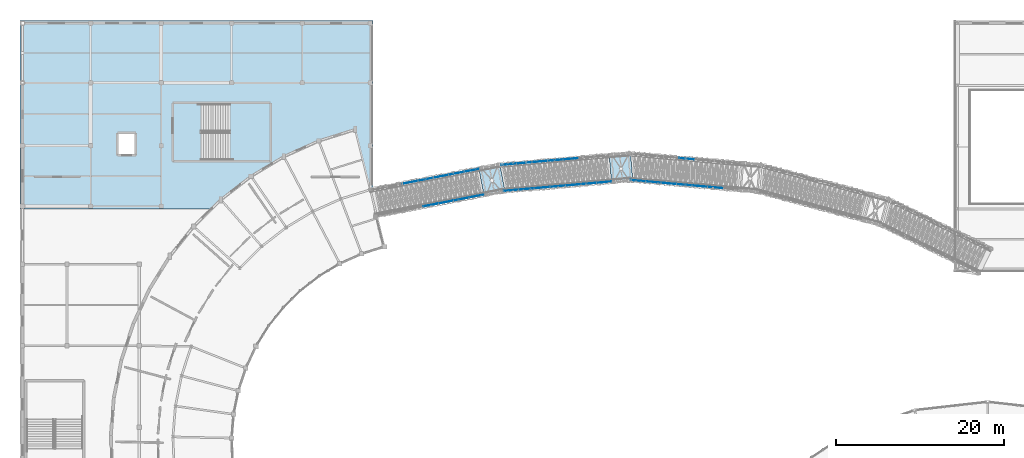
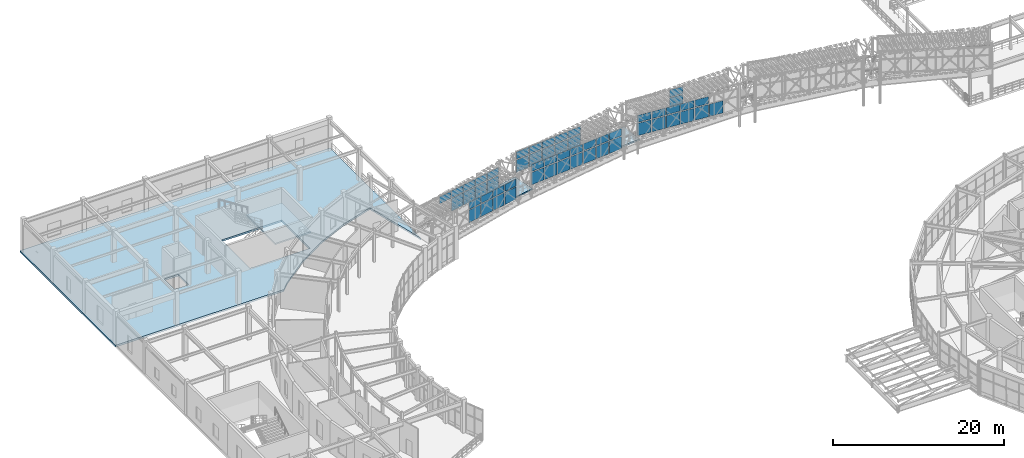
# One storey, part 87 of 144: 54 plates, 4 slabs, 8 elements without a shape of their own.
"""IFC4 building model written with IfcOpenShell, lengths in metres."""

from ifc_helpers import new_model, si_unit, direction, frame, origin, origin_2d, place, context, subcontext, project, spatial, polyline, rectangle, outline, extrude, material, layer, layer_set, type_object, element, aggregate, save


model = new_model("IFC4")

# Units and contexts
model_context = context("Model", 3, precision=1e-05, world=origin(), true_north=direction((0.0, 1.0)))
body_context = subcontext(model_context, "Body", "Model", "MODEL_VIEW")
ifc_project = project(units=[si_unit("LENGTHUNIT", "METRE"), si_unit("AREAUNIT", "SQUARE_METRE"), si_unit("VOLUMEUNIT", "CUBIC_METRE"), si_unit("PLANEANGLEUNIT", "RADIAN"), si_unit("MASSUNIT", "GRAM", prefix="KILO")], contexts=[model_context])

# Site, building, storey
site_placement = place(None, origin())
site = spatial("IfcSite", under=ifc_project, at=site_placement, CompositionType="ELEMENT")
building_placement = place(site_placement, origin())
building = spatial("IfcBuilding", under=site, at=building_placement, Name="Cinderbank Siding Concert Hall", CompositionType="ELEMENT")
storey_placement = place(building_placement, frame((0.0, 0.0, 5.39990234375)))
storey = spatial("IfcBuildingStorey", under=building, at=storey_placement, Name="L02", CompositionType="ELEMENT", Elevation=5.39990234375)

# Curtain wall, plates
ifc_material_1 = material(Name="Anodised aluminium alloy 6063-T6", Category="aluminium")
curtain_wall_type = type_object("IfcCurtainWallType", Name="CW-15 Unitised Acoustic Curtain Wall 12800x3200", PredefinedType="NOTDEFINED", material=ifc_material_1)
curtain_wall_1_placement = place(storey_placement, origin())
curtain_wall_1 = element("IfcCurtainWall", 1, at=curtain_wall_1_placement, inside=storey, type_object=curtain_wall_type, Name="L02 Curtain Wall CW-15 #153", PredefinedType="NOTDEFINED")
ifc_material_2 = material(Name="Double-glazed laminated acoustic glass", Category="glass")
ifc_layer_1 = layer(ifc_material_2, 0.035888671875)
ifc_layer_set_1 = layer_set([ifc_layer_1], Name="Double-glazed laminated acoustic glass")
plate_type_1 = type_object("IfcPlateType", Name="CP-02 Glazed Curtain Panel 1800x1900", PredefinedType="CURTAIN_PANEL", material=ifc_layer_set_1)
plate_1_placement = place(storey_placement, frame((53.25634765625, 98.955322265625, 2.4931640625), z_axis=(0.0, 0.0, 1.0), x_axis=(0.981626888786, 0.190810511271, 0.0)))
plate_1 = element("IfcPlate", 2, at=plate_1_placement, type_object=plate_type_1, Name="CW-L02-153 Glazed Panel 2-1", PredefinedType="CURTAIN_PANEL", context=body_context, shape_type="SweptSolid", body=[
    extrude(rectangle(XDim=1.760009765625, YDim=0.035888671875, at=origin_2d()), origin(), (0.0, 0.0, 1.0), 1.01708984375),
])
plate_2_placement = place(storey_placement, frame((55.082275390625, 99.310302734375, 0.60009765625), z_axis=(0.0, 0.0, 1.0), x_axis=(0.981626888786, 0.190810511271, 0.0)))
plate_2 = element("IfcPlate", 3, at=plate_2_placement, type_object=plate_type_1, Name="CW-L02-153 Glazed Panel 3-0", PredefinedType="CURTAIN_PANEL", context=body_context, shape_type="SweptSolid", body=[
    extrude(rectangle(XDim=1.760009765625, YDim=0.035888671875, at=origin_2d()), origin(), (0.0, 0.0, 1.0), 1.77294921875),
])
plate_3_placement = place(storey_placement, frame((55.082275390625, 99.310302734375, 2.4931640625), z_axis=(0.0, 0.0, 1.0), x_axis=(0.981626888786, 0.190810511271, 0.0)))
plate_3 = element("IfcPlate", 4, at=plate_3_placement, type_object=plate_type_1, Name="CW-L02-153 Glazed Panel 3-1", PredefinedType="CURTAIN_PANEL", context=body_context, shape_type="SweptSolid", body=[
    extrude(rectangle(XDim=1.760009765625, YDim=0.035888671875, at=origin_2d()), origin(), (0.0, 0.0, 1.0), 1.01708984375),
])
plate_4_placement = place(storey_placement, frame((56.908203125, 99.665283203125, 0.60009765625), z_axis=(0.0, 0.0, 1.0), x_axis=(0.981626888786, 0.190810511271, 0.0)))
plate_4 = element("IfcPlate", 5, at=plate_4_placement, type_object=plate_type_1, Name="CW-L02-153 Glazed Panel 4-0", PredefinedType="CURTAIN_PANEL", context=body_context, shape_type="SweptSolid", body=[
    extrude(rectangle(XDim=1.760009765625, YDim=0.035888671875, at=origin_2d()), origin(), (0.0, 0.0, 1.0), 1.77294921875),
])
plate_5_placement = place(storey_placement, frame((56.908203125, 99.665283203125, 2.4931640625), z_axis=(0.0, 0.0, 1.0), x_axis=(0.981626888786, 0.190810511271, 0.0)))
plate_5 = element("IfcPlate", 6, at=plate_5_placement, type_object=plate_type_1, Name="CW-L02-153 Glazed Panel 4-1", PredefinedType="CURTAIN_PANEL", context=body_context, shape_type="SweptSolid", body=[
    extrude(rectangle(XDim=1.760009765625, YDim=0.035888671875, at=origin_2d()), origin(), (0.0, 0.0, 1.0), 1.01708984375),
])
plate_6_placement = place(storey_placement, frame((58.73388671875, 100.020263671875, 0.60009765625), z_axis=(0.0, 0.0, 1.0), x_axis=(0.981626888786, 0.190810511271, 0.0)))
plate_6 = element("IfcPlate", 7, at=plate_6_placement, type_object=plate_type_1, Name="CW-L02-153 Glazed Panel 5-0", PredefinedType="CURTAIN_PANEL", context=body_context, shape_type="SweptSolid", body=[
    extrude(rectangle(XDim=1.760009765625, YDim=0.035888671875, at=origin_2d()), origin(), (0.0, 0.0, 1.0), 1.77294921875),
])
plate_7_placement = place(storey_placement, frame((58.73388671875, 100.020263671875, 2.4931640625), z_axis=(0.0, 0.0, 1.0), x_axis=(0.981626888786, 0.190810511271, 0.0)))
plate_7 = element("IfcPlate", 8, at=plate_7_placement, type_object=plate_type_1, Name="CW-L02-153 Glazed Panel 5-1", PredefinedType="CURTAIN_PANEL", context=body_context, shape_type="SweptSolid", body=[
    extrude(rectangle(XDim=1.760009765625, YDim=0.035888671875, at=origin_2d()), origin(), (0.0, 0.0, 1.0), 1.01708984375),
])
plate_8_placement = place(storey_placement, frame((60.559814453125, 100.375, 0.60009765625), z_axis=(0.0, 0.0, 1.0), x_axis=(0.981626888786, 0.190810511271, 0.0)))
plate_8 = element("IfcPlate", 9, at=plate_8_placement, type_object=plate_type_1, Name="CW-L02-153 Glazed Panel 6-0", PredefinedType="CURTAIN_PANEL", context=body_context, shape_type="SweptSolid", body=[
    extrude(rectangle(XDim=1.760009765625, YDim=0.035888671875, at=origin_2d()), origin(), (0.0, 0.0, 1.0), 1.77294921875),
])
plate_9_placement = place(storey_placement, frame((60.559814453125, 100.375, 2.4931640625), z_axis=(0.0, 0.0, 1.0), x_axis=(0.981626888786, 0.190810511271, 0.0)))
plate_9 = element("IfcPlate", 10, at=plate_9_placement, type_object=plate_type_1, Name="CW-L02-153 Glazed Panel 6-1", PredefinedType="CURTAIN_PANEL", context=body_context, shape_type="SweptSolid", body=[
    extrude(rectangle(XDim=1.760009765625, YDim=0.035888671875, at=origin_2d()), origin(), (0.0, 0.0, 1.0), 1.01708984375),
])
aggregate(curtain_wall_1, [plate_1, plate_2, plate_3, plate_4, plate_5, plate_6, plate_7, plate_8, plate_9])

curtain_wall_2_placement = place(storey_placement, origin())
curtain_wall_2 = element("IfcCurtainWall", 11, at=curtain_wall_2_placement, inside=storey, type_object=curtain_wall_type, Name="L02 Curtain Wall CW-15 #154", PredefinedType="NOTDEFINED")
ifc_layer_2 = layer(ifc_material_2, 0.035888671875)
ifc_layer_set_2 = layer_set([ifc_layer_2], Name="Double-glazed laminated acoustic glass")
plate_type_2 = type_object("IfcPlateType", Name="CP-03 Glazed Curtain Panel 1600x2100", PredefinedType="CURTAIN_PANEL", material=ifc_layer_set_2)
plate_10_placement = place(storey_placement, frame((55.694091796875, 96.2509765625, 0.60009765625), z_axis=(0.0, 0.0, 1.0), x_axis=(0.981626888786, 0.190810511271, 0.0)))
plate_10 = element("IfcPlate", 12, at=plate_10_placement, type_object=plate_type_2, Name="CW-L02-154 Glazed Panel 3-0", PredefinedType="CURTAIN_PANEL", context=body_context, shape_type="SweptSolid", body=[
    extrude(rectangle(XDim=1.755126953125, YDim=0.035888671875, at=origin_2d()), origin(), (0.0, 0.0, 1.0), 1.77294921875),
])
plate_11_placement = place(storey_placement, frame((55.694091796875, 96.2509765625, 2.4931640625), z_axis=(0.0, 0.0, 1.0), x_axis=(0.981626888786, 0.190810511271, 0.0)))
plate_11 = element("IfcPlate", 13, at=plate_11_placement, type_object=plate_type_2, Name="CW-L02-154 Glazed Panel 3-1", PredefinedType="CURTAIN_PANEL", context=body_context, shape_type="SweptSolid", body=[
    extrude(rectangle(XDim=1.755126953125, YDim=0.035888671875, at=origin_2d()), origin(), (0.0, 0.0, 1.0), 1.01708984375),
])
plate_12_placement = place(storey_placement, frame((57.515380859375, 96.60498046875, 0.60009765625), z_axis=(0.0, 0.0, 1.0), x_axis=(0.981626888786, 0.190810511271, 0.0)))
plate_12 = element("IfcPlate", 14, at=plate_12_placement, type_object=plate_type_2, Name="CW-L02-154 Glazed Panel 4-0", PredefinedType="CURTAIN_PANEL", context=body_context, shape_type="SweptSolid", body=[
    extrude(rectangle(XDim=1.755126953125, YDim=0.035888671875, at=origin_2d()), origin(), (0.0, 0.0, 1.0), 1.77294921875),
])
plate_13_placement = place(storey_placement, frame((57.515380859375, 96.60498046875, 2.4931640625), z_axis=(0.0, 0.0, 1.0), x_axis=(0.981626888786, 0.190810511271, 0.0)))
plate_13 = element("IfcPlate", 15, at=plate_13_placement, type_object=plate_type_2, Name="CW-L02-154 Glazed Panel 4-1", PredefinedType="CURTAIN_PANEL", context=body_context, shape_type="SweptSolid", body=[
    extrude(rectangle(XDim=1.755126953125, YDim=0.035888671875, at=origin_2d()), origin(), (0.0, 0.0, 1.0), 1.01708984375),
])
plate_14_placement = place(storey_placement, frame((59.33642578125, 96.958984375, 0.60009765625), z_axis=(0.0, 0.0, 1.0), x_axis=(0.981626888786, 0.190810511271, 0.0)))
plate_14 = element("IfcPlate", 16, at=plate_14_placement, type_object=plate_type_2, Name="CW-L02-154 Glazed Panel 5-0", PredefinedType="CURTAIN_PANEL", context=body_context, shape_type="SweptSolid", body=[
    extrude(rectangle(XDim=1.755126953125, YDim=0.035888671875, at=origin_2d()), origin(), (0.0, 0.0, 1.0), 1.77294921875),
])
plate_15_placement = place(storey_placement, frame((59.33642578125, 96.958984375, 2.4931640625), z_axis=(0.0, 0.0, 1.0), x_axis=(0.981626888786, 0.190810511271, 0.0)))
plate_15 = element("IfcPlate", 17, at=plate_15_placement, type_object=plate_type_2, Name="CW-L02-154 Glazed Panel 5-1", PredefinedType="CURTAIN_PANEL", context=body_context, shape_type="SweptSolid", body=[
    extrude(rectangle(XDim=1.755126953125, YDim=0.035888671875, at=origin_2d()), origin(), (0.0, 0.0, 1.0), 1.01708984375),
])
plate_16_placement = place(storey_placement, frame((61.157470703125, 97.31298828125, 0.60009765625), z_axis=(0.0, 0.0, 1.0), x_axis=(0.981626888786, 0.190810511271, 0.0)))
plate_16 = element("IfcPlate", 18, at=plate_16_placement, type_object=plate_type_2, Name="CW-L02-154 Glazed Panel 6-0", PredefinedType="CURTAIN_PANEL", context=body_context, shape_type="SweptSolid", body=[
    extrude(rectangle(XDim=1.755126953125, YDim=0.035888671875, at=origin_2d()), origin(), (0.0, 0.0, 1.0), 1.77294921875),
])
plate_17_placement = place(storey_placement, frame((61.157470703125, 97.31298828125, 2.4931640625), z_axis=(0.0, 0.0, 1.0), x_axis=(0.981626888786, 0.190810511271, 0.0)))
plate_17 = element("IfcPlate", 19, at=plate_17_placement, type_object=plate_type_2, Name="CW-L02-154 Glazed Panel 6-1", PredefinedType="CURTAIN_PANEL", context=body_context, shape_type="SweptSolid", body=[
    extrude(rectangle(XDim=1.755126953125, YDim=0.035888671875, at=origin_2d()), origin(), (0.0, 0.0, 1.0), 1.01708984375),
])
aggregate(curtain_wall_2, [plate_10, plate_11, plate_12, plate_13, plate_14, plate_15, plate_16, plate_17])

curtain_wall_3_placement = place(storey_placement, origin())
curtain_wall_3 = element("IfcCurtainWall", 20, at=curtain_wall_3_placement, inside=storey, type_object=curtain_wall_type, Name="L02 Curtain Wall CW-15 #155", PredefinedType="NOTDEFINED")
ifc_layer_3 = layer(ifc_material_2, 0.031982421875)
ifc_layer_set_3 = layer_set([ifc_layer_3], Name="Double-glazed laminated acoustic glass")
plate_type_3 = type_object("IfcPlateType", Name="CP-04 Glazed Curtain Panel 1400x2000", PredefinedType="CURTAIN_PANEL", material=ifc_layer_set_3)
plate_18_placement = place(storey_placement, frame((64.970703125, 101.100830078125, 1.56005859375), z_axis=(0.0, 0.0, 1.0), x_axis=(0.996194549296, 0.08715744348, 0.0)))
plate_18 = element("IfcPlate", 21, at=plate_18_placement, type_object=plate_type_3, Name="CW-L02-155 Glazed Panel 0-0", PredefinedType="CURTAIN_PANEL", context=body_context, shape_type="SweptSolid", body=[
    extrude(rectangle(XDim=1.755126953125, YDim=0.035888671875, at=origin_2d()), origin(), (0.0, 0.0, 1.0), 1.77294921875),
])
plate_19_placement = place(storey_placement, frame((64.970703125, 101.100830078125, 3.453125), z_axis=(0.0, 0.0, 1.0), x_axis=(0.996194549296, 0.08715744348, 0.0)))
plate_19 = element("IfcPlate", 22, at=plate_19_placement, type_object=plate_type_3, Name="CW-L02-155 Glazed Panel 0-1", PredefinedType="CURTAIN_PANEL", context=body_context, shape_type="SweptSolid", body=[
    extrude(rectangle(XDim=1.755126953125, YDim=0.035888671875, at=origin_2d()), origin(), (0.0, 0.0, 1.0), 1.01708984375),
])
plate_20_placement = place(storey_placement, frame((66.818603515625, 101.262451171875, 1.56005859375), z_axis=(0.0, 0.0, 1.0), x_axis=(0.996194549296, 0.08715744348, 0.0)))
plate_20 = element("IfcPlate", 23, at=plate_20_placement, type_object=plate_type_3, Name="CW-L02-155 Glazed Panel 1-0", PredefinedType="CURTAIN_PANEL", context=body_context, shape_type="SweptSolid", body=[
    extrude(rectangle(XDim=1.755126953125, YDim=0.035888671875, at=origin_2d()), origin(), (0.0, 0.0, 1.0), 1.77294921875),
])
plate_21_placement = place(storey_placement, frame((66.818603515625, 101.262451171875, 3.453125), z_axis=(0.0, 0.0, 1.0), x_axis=(0.996194549296, 0.08715744348, 0.0)))
plate_21 = element("IfcPlate", 24, at=plate_21_placement, type_object=plate_type_3, Name="CW-L02-155 Glazed Panel 1-1", PredefinedType="CURTAIN_PANEL", context=body_context, shape_type="SweptSolid", body=[
    extrude(rectangle(XDim=1.755126953125, YDim=0.035888671875, at=origin_2d()), origin(), (0.0, 0.0, 1.0), 1.01708984375),
])
plate_22_placement = place(storey_placement, frame((68.666748046875, 101.42431640625, 1.56005859375), z_axis=(0.0, 0.0, 1.0), x_axis=(0.996194549296, 0.08715744348, 0.0)))
plate_22 = element("IfcPlate", 25, at=plate_22_placement, type_object=plate_type_3, Name="CW-L02-155 Glazed Panel 2-0", PredefinedType="CURTAIN_PANEL", context=body_context, shape_type="SweptSolid", body=[
    extrude(rectangle(XDim=1.755126953125, YDim=0.035888671875, at=origin_2d()), origin(), (0.0, 0.0, 1.0), 1.77294921875),
])
plate_23_placement = place(storey_placement, frame((68.666748046875, 101.42431640625, 3.453125), z_axis=(0.0, 0.0, 1.0), x_axis=(0.996194549296, 0.08715744348, 0.0)))
plate_23 = element("IfcPlate", 26, at=plate_23_placement, type_object=plate_type_3, Name="CW-L02-155 Glazed Panel 2-1", PredefinedType="CURTAIN_PANEL", context=body_context, shape_type="SweptSolid", body=[
    extrude(rectangle(XDim=1.755126953125, YDim=0.035888671875, at=origin_2d()), origin(), (0.0, 0.0, 1.0), 1.01708984375),
])
plate_24_placement = place(storey_placement, frame((70.514892578125, 101.5859375, 1.56005859375), z_axis=(0.0, 0.0, 1.0), x_axis=(0.996194549296, 0.08715744348, 0.0)))
plate_24 = element("IfcPlate", 27, at=plate_24_placement, type_object=plate_type_3, Name="CW-L02-155 Glazed Panel 3-0", PredefinedType="CURTAIN_PANEL", context=body_context, shape_type="SweptSolid", body=[
    extrude(rectangle(XDim=1.755126953125, YDim=0.035888671875, at=origin_2d()), origin(), (0.0, 0.0, 1.0), 1.77294921875),
])
plate_25_placement = place(storey_placement, frame((70.514892578125, 101.5859375, 3.453125), z_axis=(0.0, 0.0, 1.0), x_axis=(0.996194549296, 0.08715744348, 0.0)))
plate_25 = element("IfcPlate", 28, at=plate_25_placement, type_object=plate_type_3, Name="CW-L02-155 Glazed Panel 3-1", PredefinedType="CURTAIN_PANEL", context=body_context, shape_type="SweptSolid", body=[
    extrude(rectangle(XDim=1.755126953125, YDim=0.035888671875, at=origin_2d()), origin(), (0.0, 0.0, 1.0), 1.01708984375),
])
plate_26_placement = place(storey_placement, frame((72.363037109375, 101.74755859375, 1.56005859375), z_axis=(0.0, 0.0, 1.0), x_axis=(0.996194549296, 0.08715744348, 0.0)))
plate_26 = element("IfcPlate", 29, at=plate_26_placement, type_object=plate_type_3, Name="CW-L02-155 Glazed Panel 4-0", PredefinedType="CURTAIN_PANEL", context=body_context, shape_type="SweptSolid", body=[
    extrude(rectangle(XDim=1.755126953125, YDim=0.035888671875, at=origin_2d()), origin(), (0.0, 0.0, 1.0), 1.77294921875),
])
plate_27_placement = place(storey_placement, frame((72.363037109375, 101.74755859375, 3.453125), z_axis=(0.0, 0.0, 1.0), x_axis=(0.996194549296, 0.08715744348, 0.0)))
plate_27 = element("IfcPlate", 30, at=plate_27_placement, type_object=plate_type_3, Name="CW-L02-155 Glazed Panel 4-1", PredefinedType="CURTAIN_PANEL", context=body_context, shape_type="SweptSolid", body=[
    extrude(rectangle(XDim=1.755126953125, YDim=0.035888671875, at=origin_2d()), origin(), (0.0, 0.0, 1.0), 1.01708984375),
])
aggregate(curtain_wall_3, [plate_18, plate_19, plate_20, plate_21, plate_22, plate_23, plate_24, plate_25, plate_26, plate_27])

curtain_wall_4_placement = place(storey_placement, origin())
curtain_wall_4 = element("IfcCurtainWall", 31, at=curtain_wall_4_placement, inside=storey, type_object=curtain_wall_type, Name="L02 Curtain Wall CW-15 #156", PredefinedType="NOTDEFINED")
ifc_layer_4 = layer(ifc_material_2, 0.031982421875)
ifc_layer_set_4 = layer_set([ifc_layer_4], Name="Double-glazed laminated acoustic glass")
plate_type_4 = type_object("IfcPlateType", Name="CP-05 Glazed Curtain Panel 1200x1800", PredefinedType="CURTAIN_PANEL", material=ifc_layer_set_4)
plate_28_placement = place(storey_placement, frame((65.242431640625, 97.99267578125, 1.56005859375), z_axis=(0.0, 0.0, 1.0), x_axis=(0.996194549296, 0.08715744348, 0.0)))
plate_28 = element("IfcPlate", 32, at=plate_28_placement, type_object=plate_type_4, Name="CW-L02-156 Glazed Panel 0-0", PredefinedType="CURTAIN_PANEL", context=body_context, shape_type="SweptSolid", body=[
    extrude(rectangle(XDim=1.755126953125, YDim=0.035888671875, at=origin_2d()), origin(), (0.0, 0.0, 1.0), 1.77294921875),
])
plate_29_placement = place(storey_placement, frame((65.242431640625, 97.99267578125, 3.453125), z_axis=(0.0, 0.0, 1.0), x_axis=(0.996194549296, 0.08715744348, 0.0)))
plate_29 = element("IfcPlate", 33, at=plate_29_placement, type_object=plate_type_4, Name="CW-L02-156 Glazed Panel 0-1", PredefinedType="CURTAIN_PANEL", context=body_context, shape_type="SweptSolid", body=[
    extrude(rectangle(XDim=1.755126953125, YDim=0.035888671875, at=origin_2d()), origin(), (0.0, 0.0, 1.0), 1.01708984375),
])
plate_30_placement = place(storey_placement, frame((67.090576171875, 98.154296875, 1.56005859375), z_axis=(0.0, 0.0, 1.0), x_axis=(0.996194549296, 0.08715744348, 0.0)))
plate_30 = element("IfcPlate", 34, at=plate_30_placement, type_object=plate_type_4, Name="CW-L02-156 Glazed Panel 1-0", PredefinedType="CURTAIN_PANEL", context=body_context, shape_type="SweptSolid", body=[
    extrude(rectangle(XDim=1.755126953125, YDim=0.035888671875, at=origin_2d()), origin(), (0.0, 0.0, 1.0), 1.77294921875),
])
plate_31_placement = place(storey_placement, frame((67.090576171875, 98.154296875, 3.453125), z_axis=(0.0, 0.0, 1.0), x_axis=(0.996194549296, 0.08715744348, 0.0)))
plate_31 = element("IfcPlate", 35, at=plate_31_placement, type_object=plate_type_4, Name="CW-L02-156 Glazed Panel 1-1", PredefinedType="CURTAIN_PANEL", context=body_context, shape_type="SweptSolid", body=[
    extrude(rectangle(XDim=1.755126953125, YDim=0.035888671875, at=origin_2d()), origin(), (0.0, 0.0, 1.0), 1.01708984375),
])
plate_32_placement = place(storey_placement, frame((68.938720703125, 98.31591796875, 1.56005859375), z_axis=(0.0, 0.0, 1.0), x_axis=(0.996194549296, 0.08715744348, 0.0)))
plate_32 = element("IfcPlate", 36, at=plate_32_placement, type_object=plate_type_4, Name="CW-L02-156 Glazed Panel 2-0", PredefinedType="CURTAIN_PANEL", context=body_context, shape_type="SweptSolid", body=[
    extrude(rectangle(XDim=1.755126953125, YDim=0.035888671875, at=origin_2d()), origin(), (0.0, 0.0, 1.0), 1.77294921875),
])
plate_33_placement = place(storey_placement, frame((68.938720703125, 98.31591796875, 3.453125), z_axis=(0.0, 0.0, 1.0), x_axis=(0.996194549296, 0.08715744348, 0.0)))
plate_33 = element("IfcPlate", 37, at=plate_33_placement, type_object=plate_type_4, Name="CW-L02-156 Glazed Panel 2-1", PredefinedType="CURTAIN_PANEL", context=body_context, shape_type="SweptSolid", body=[
    extrude(rectangle(XDim=1.755126953125, YDim=0.035888671875, at=origin_2d()), origin(), (0.0, 0.0, 1.0), 1.01708984375),
])
plate_34_placement = place(storey_placement, frame((70.786865234375, 98.477783203125, 1.56005859375), z_axis=(0.0, 0.0, 1.0), x_axis=(0.996194549296, 0.08715744348, 0.0)))
plate_34 = element("IfcPlate", 38, at=plate_34_placement, type_object=plate_type_4, Name="CW-L02-156 Glazed Panel 3-0", PredefinedType="CURTAIN_PANEL", context=body_context, shape_type="SweptSolid", body=[
    extrude(rectangle(XDim=1.755126953125, YDim=0.035888671875, at=origin_2d()), origin(), (0.0, 0.0, 1.0), 1.77294921875),
])
plate_35_placement = place(storey_placement, frame((70.786865234375, 98.477783203125, 3.453125), z_axis=(0.0, 0.0, 1.0), x_axis=(0.996194549296, 0.08715744348, 0.0)))
plate_35 = element("IfcPlate", 39, at=plate_35_placement, type_object=plate_type_4, Name="CW-L02-156 Glazed Panel 3-1", PredefinedType="CURTAIN_PANEL", context=body_context, shape_type="SweptSolid", body=[
    extrude(rectangle(XDim=1.755126953125, YDim=0.035888671875, at=origin_2d()), origin(), (0.0, 0.0, 1.0), 1.01708984375),
])
plate_36_placement = place(storey_placement, frame((72.635009765625, 98.639404296875, 1.56005859375), z_axis=(0.0, 0.0, 1.0), x_axis=(0.996194549296, 0.08715744348, 0.0)))
plate_36 = element("IfcPlate", 40, at=plate_36_placement, type_object=plate_type_4, Name="CW-L02-156 Glazed Panel 4-0", PredefinedType="CURTAIN_PANEL", context=body_context, shape_type="SweptSolid", body=[
    extrude(rectangle(XDim=1.755126953125, YDim=0.035888671875, at=origin_2d()), origin(), (0.0, 0.0, 1.0), 1.77294921875),
])
plate_37_placement = place(storey_placement, frame((72.635009765625, 98.639404296875, 3.453125), z_axis=(0.0, 0.0, 1.0), x_axis=(0.996194549296, 0.08715744348, 0.0)))
plate_37 = element("IfcPlate", 41, at=plate_37_placement, type_object=plate_type_4, Name="CW-L02-156 Glazed Panel 4-1", PredefinedType="CURTAIN_PANEL", context=body_context, shape_type="SweptSolid", body=[
    extrude(rectangle(XDim=1.755126953125, YDim=0.035888671875, at=origin_2d()), origin(), (0.0, 0.0, 1.0), 1.01708984375),
])
plate_38_placement = place(storey_placement, frame((74.48291015625, 98.801025390625, 1.56005859375), z_axis=(0.0, 0.0, 1.0), x_axis=(0.996194549296, 0.08715744348, 0.0)))
plate_38 = element("IfcPlate", 42, at=plate_38_placement, type_object=plate_type_4, Name="CW-L02-156 Glazed Panel 5-0", PredefinedType="CURTAIN_PANEL", context=body_context, shape_type="SweptSolid", body=[
    extrude(rectangle(XDim=1.755126953125, YDim=0.035888671875, at=origin_2d()), origin(), (0.0, 0.0, 1.0), 1.77294921875),
])
plate_39_placement = place(storey_placement, frame((74.48291015625, 98.801025390625, 3.453125), z_axis=(0.0, 0.0, 1.0), x_axis=(0.996194549296, 0.08715744348, 0.0)))
plate_39 = element("IfcPlate", 43, at=plate_39_placement, type_object=plate_type_4, Name="CW-L02-156 Glazed Panel 5-1", PredefinedType="CURTAIN_PANEL", context=body_context, shape_type="SweptSolid", body=[
    extrude(rectangle(XDim=1.755126953125, YDim=0.035888671875, at=origin_2d()), origin(), (0.0, 0.0, 1.0), 1.01708984375),
])
plate_40_placement = place(storey_placement, frame((76.3310546875, 98.962890625, 1.56005859375), z_axis=(0.0, 0.0, 1.0), x_axis=(0.996194549296, 0.08715744348, 0.0)))
plate_40 = element("IfcPlate", 44, at=plate_40_placement, type_object=plate_type_4, Name="CW-L02-156 Glazed Panel 6-0", PredefinedType="CURTAIN_PANEL", context=body_context, shape_type="SweptSolid", body=[
    extrude(rectangle(XDim=1.755126953125, YDim=0.035888671875, at=origin_2d()), origin(), (0.0, 0.0, 1.0), 1.77294921875),
])
plate_41_placement = place(storey_placement, frame((76.3310546875, 98.962890625, 3.453125), z_axis=(0.0, 0.0, 1.0), x_axis=(0.996194549296, 0.08715744348, 0.0)))
plate_41 = element("IfcPlate", 45, at=plate_41_placement, type_object=plate_type_4, Name="CW-L02-156 Glazed Panel 6-1", PredefinedType="CURTAIN_PANEL", context=body_context, shape_type="SweptSolid", body=[
    extrude(rectangle(XDim=1.755126953125, YDim=0.035888671875, at=origin_2d()), origin(), (0.0, 0.0, 1.0), 1.01708984375),
])
aggregate(curtain_wall_4, [plate_28, plate_29, plate_30, plate_31, plate_32, plate_33, plate_34, plate_35, plate_36, plate_37, plate_38, plate_39, plate_40, plate_41])

curtain_wall_5_placement = place(storey_placement, origin())
curtain_wall_5 = element("IfcCurtainWall", 46, at=curtain_wall_5_placement, inside=storey, type_object=curtain_wall_type, Name="L02 Curtain Wall CW-15 #157", PredefinedType="NOTDEFINED")
ifc_layer_5 = layer(ifc_material_2, 0.0380859375)
ifc_layer_set_5 = layer_set([ifc_layer_5], Name="Double-glazed laminated acoustic glass")
plate_type_5 = type_object("IfcPlateType", Name="CP-06 Glazed Curtain Panel 2100x1600", PredefinedType="CURTAIN_PANEL", material=ifc_layer_set_5)
plate_42_placement = place(storey_placement, frame((86.168212890625, 101.76025390625, 2.52001953125), z_axis=(0.0, 0.0, 1.0), x_axis=(0.996194549296, -0.08715744348, 0.0)))
plate_42 = element("IfcPlate", 47, at=plate_42_placement, type_object=plate_type_5, Name="CW-L02-157 Glazed Panel 3-0", PredefinedType="CURTAIN_PANEL", context=body_context, shape_type="SweptSolid", body=[
    extrude(rectangle(XDim=1.755126953125, YDim=0.035888671875, at=origin_2d()), origin(), (0.0, 0.0, 1.0), 1.77294921875),
])
plate_43_placement = place(storey_placement, frame((86.168212890625, 101.76025390625, 4.4130859375), z_axis=(0.0, 0.0, 1.0), x_axis=(0.996194549296, -0.08715744348, 0.0)))
plate_43 = element("IfcPlate", 48, at=plate_43_placement, type_object=plate_type_5, Name="CW-L02-157 Glazed Panel 3-1", PredefinedType="CURTAIN_PANEL", context=body_context, shape_type="SweptSolid", body=[
    extrude(rectangle(XDim=1.755126953125, YDim=0.035888671875, at=origin_2d()), origin(), (0.0, 0.0, 1.0), 1.01708984375),
])
aggregate(curtain_wall_5, [plate_42, plate_43])

curtain_wall_6_placement = place(storey_placement, origin())
curtain_wall_6 = element("IfcCurtainWall", 49, at=curtain_wall_6_placement, inside=storey, type_object=curtain_wall_type, Name="L02 Curtain Wall CW-15 #158", PredefinedType="NOTDEFINED")
ifc_layer_6 = layer(ifc_material_2, 0.033935546875)
ifc_layer_set_6 = layer_set([ifc_layer_6], Name="Double-glazed laminated acoustic glass")
plate_type_6 = type_object("IfcPlateType", Name="CP-07 Glazed Curtain Panel 1500x1750", PredefinedType="CURTAIN_PANEL", material=ifc_layer_set_6)
plate_44_placement = place(storey_placement, frame((80.351806640625, 99.13720703125, 2.52001953125), z_axis=(0.0, 0.0, 1.0), x_axis=(0.996194549296, -0.08715744348, 0.0)))
plate_44 = element("IfcPlate", 50, at=plate_44_placement, type_object=plate_type_6, Name="CW-L02-158 Glazed Panel 0-0", PredefinedType="CURTAIN_PANEL", context=body_context, shape_type="SweptSolid", body=[
    extrude(rectangle(XDim=1.755126953125, YDim=0.035888671875, at=origin_2d()), origin(), (0.0, 0.0, 1.0), 1.77294921875),
])
plate_45_placement = place(storey_placement, frame((80.351806640625, 99.13720703125, 4.4130859375), z_axis=(0.0, 0.0, 1.0), x_axis=(0.996194549296, -0.08715744348, 0.0)))
plate_45 = element("IfcPlate", 51, at=plate_45_placement, type_object=plate_type_6, Name="CW-L02-158 Glazed Panel 0-1", PredefinedType="CURTAIN_PANEL", context=body_context, shape_type="SweptSolid", body=[
    extrude(rectangle(XDim=1.755126953125, YDim=0.035888671875, at=origin_2d()), origin(), (0.0, 0.0, 1.0), 1.01708984375),
])
plate_46_placement = place(storey_placement, frame((82.199951171875, 98.975341796875, 2.52001953125), z_axis=(0.0, 0.0, 1.0), x_axis=(0.996194549296, -0.08715744348, 0.0)))
plate_46 = element("IfcPlate", 52, at=plate_46_placement, type_object=plate_type_6, Name="CW-L02-158 Glazed Panel 1-0", PredefinedType="CURTAIN_PANEL", context=body_context, shape_type="SweptSolid", body=[
    extrude(rectangle(XDim=1.755126953125, YDim=0.035888671875, at=origin_2d()), origin(), (0.0, 0.0, 1.0), 1.77294921875),
])
plate_47_placement = place(storey_placement, frame((82.199951171875, 98.975341796875, 4.4130859375), z_axis=(0.0, 0.0, 1.0), x_axis=(0.996194549296, -0.08715744348, 0.0)))
plate_47 = element("IfcPlate", 53, at=plate_47_placement, type_object=plate_type_6, Name="CW-L02-158 Glazed Panel 1-1", PredefinedType="CURTAIN_PANEL", context=body_context, shape_type="SweptSolid", body=[
    extrude(rectangle(XDim=1.755126953125, YDim=0.035888671875, at=origin_2d()), origin(), (0.0, 0.0, 1.0), 1.01708984375),
])
plate_48_placement = place(storey_placement, frame((84.048095703125, 98.813720703125, 2.52001953125), z_axis=(0.0, 0.0, 1.0), x_axis=(0.996194549296, -0.08715744348, 0.0)))
plate_48 = element("IfcPlate", 54, at=plate_48_placement, type_object=plate_type_6, Name="CW-L02-158 Glazed Panel 2-0", PredefinedType="CURTAIN_PANEL", context=body_context, shape_type="SweptSolid", body=[
    extrude(rectangle(XDim=1.755126953125, YDim=0.035888671875, at=origin_2d()), origin(), (0.0, 0.0, 1.0), 1.77294921875),
])
plate_49_placement = place(storey_placement, frame((84.048095703125, 98.813720703125, 4.4130859375), z_axis=(0.0, 0.0, 1.0), x_axis=(0.996194549296, -0.08715744348, 0.0)))
plate_49 = element("IfcPlate", 55, at=plate_49_placement, type_object=plate_type_6, Name="CW-L02-158 Glazed Panel 2-1", PredefinedType="CURTAIN_PANEL", context=body_context, shape_type="SweptSolid", body=[
    extrude(rectangle(XDim=1.755126953125, YDim=0.035888671875, at=origin_2d()), origin(), (0.0, 0.0, 1.0), 1.01708984375),
])
plate_50_placement = place(storey_placement, frame((85.896240234375, 98.652099609375, 2.52001953125), z_axis=(0.0, 0.0, 1.0), x_axis=(0.996194549296, -0.08715744348, 0.0)))
plate_50 = element("IfcPlate", 56, at=plate_50_placement, type_object=plate_type_6, Name="CW-L02-158 Glazed Panel 3-0", PredefinedType="CURTAIN_PANEL", context=body_context, shape_type="SweptSolid", body=[
    extrude(rectangle(XDim=1.755126953125, YDim=0.035888671875, at=origin_2d()), origin(), (0.0, 0.0, 1.0), 1.77294921875),
])
plate_51_placement = place(storey_placement, frame((85.896240234375, 98.652099609375, 4.4130859375), z_axis=(0.0, 0.0, 1.0), x_axis=(0.996194549296, -0.08715744348, 0.0)))
plate_51 = element("IfcPlate", 57, at=plate_51_placement, type_object=plate_type_6, Name="CW-L02-158 Glazed Panel 3-1", PredefinedType="CURTAIN_PANEL", context=body_context, shape_type="SweptSolid", body=[
    extrude(rectangle(XDim=1.755126953125, YDim=0.035888671875, at=origin_2d()), origin(), (0.0, 0.0, 1.0), 1.01708984375),
])
plate_52_placement = place(storey_placement, frame((87.744384765625, 98.490234375, 2.52001953125), z_axis=(0.0, 0.0, 1.0), x_axis=(0.996194549296, -0.08715744348, 0.0)))
plate_52 = element("IfcPlate", 58, at=plate_52_placement, type_object=plate_type_6, Name="CW-L02-158 Glazed Panel 4-0", PredefinedType="CURTAIN_PANEL", context=body_context, shape_type="SweptSolid", body=[
    extrude(rectangle(XDim=1.755126953125, YDim=0.035888671875, at=origin_2d()), origin(), (0.0, 0.0, 1.0), 1.77294921875),
])
plate_53_placement = place(storey_placement, frame((87.744384765625, 98.490234375, 4.4130859375), z_axis=(0.0, 0.0, 1.0), x_axis=(0.996194549296, -0.08715744348, 0.0)))
plate_53 = element("IfcPlate", 59, at=plate_53_placement, type_object=plate_type_6, Name="CW-L02-158 Glazed Panel 4-1", PredefinedType="CURTAIN_PANEL", context=body_context, shape_type="SweptSolid", body=[
    extrude(rectangle(XDim=1.755126953125, YDim=0.035888671875, at=origin_2d()), origin(), (0.0, 0.0, 1.0), 1.01708984375),
])
plate_54_placement = place(storey_placement, frame((89.59228515625, 98.32861328125, 2.52001953125), z_axis=(0.0, 0.0, 1.0), x_axis=(0.996194549296, -0.08715744348, 0.0)))
plate_54 = element("IfcPlate", 60, at=plate_54_placement, type_object=plate_type_6, Name="CW-L02-158 Glazed Panel 5-0", PredefinedType="CURTAIN_PANEL", context=body_context, shape_type="SweptSolid", body=[
    extrude(rectangle(XDim=1.755126953125, YDim=0.035888671875, at=origin_2d()), origin(), (0.0, 0.0, 1.0), 1.77294921875),
])
aggregate(curtain_wall_6, [plate_44, plate_45, plate_46, plate_47, plate_48, plate_49, plate_50, plate_51, plate_52, plate_53, plate_54])

# Ramp, slabs
ifc_material_3 = material(Name="Reinforced concrete AS 3600 N50 (50 MPa)", Category="concrete")
ramp_type = type_object("IfcRampType", Name="RP-BR1 Curving Forecourt Ramp Bridge", PredefinedType="HALF_TURN_RAMP", material=ifc_material_3)
ramp_placement = place(storey_placement, origin())
ramp = element("IfcRamp", 61, at=ramp_placement, inside=storey, type_object=ramp_type, Name="Forecourt Curving 1:14 Accessible Ramp Bridge", PredefinedType="HALF_TURN_RAMP")
ifc_layer_7 = layer(ifc_material_3, 0.199951171875)
ifc_layer_set_7 = layer_set([ifc_layer_7], Name="Reinforced concrete AS 3600 N50 (50 MPa)")
slab_type_1 = type_object("IfcSlabType", Name="LD-01 Slab 200mm", PredefinedType="LANDING", material=ifc_layer_set_7)
slab_1_placement = place(storey_placement, frame((0.0, 0.0, 0.760009765625)))
slab_1 = element("IfcSlab", 62, at=slab_1_placement, type_object=slab_type_1, Name="Bridge Level Landing #2", PredefinedType="LANDING", context=body_context, shape_type="SweptSolid", body=[
    extrude(outline(polyline([(62.015869140625, 97.479736328125), (64.52880859375, 97.96826171875), (63.93359375, 101.031005859375), (61.420654296875, 100.54248046875), (62.015869140625, 97.479736328125)])), origin(), (0.0, 0.0, 1.0), 0.2001953125),
])
slab_2_placement = place(storey_placement, frame((0.0, 0.0, 1.72021484375)))
slab_2 = element("IfcSlab", 63, at=slab_2_placement, type_object=slab_type_1, Name="Bridge Level Landing #4", PredefinedType="LANDING", context=body_context, shape_type="SweptSolid", body=[
    extrude(outline(polyline([(77.202392578125, 99.0390625), (79.752685546875, 99.26220703125), (79.480712890625, 102.370361328125), (76.930419921875, 102.147216796875), (77.202392578125, 99.0390625)])), origin(), (0.0, 0.0, 1.0), 0.199951171875),
])
aggregate(ramp, [slab_1, slab_2])

# Stair, slab
stair_type = type_object("IfcStairType", Name="STR-L Dogleg Exit Stair 3250mm", PredefinedType="HALF_TURN_STAIR", material=ifc_material_3)
stair_placement = place(storey_placement, origin())
stair = element("IfcStair", 64, at=stair_placement, inside=storey, type_object=stair_type, Name="L02 Rehearsal Wing Exit Stair ST-05", PredefinedType="HALF_TURN_STAIR")
ifc_layer_8 = layer(ifc_material_3, 0.199951171875)
ifc_layer_set_8 = layer_set([ifc_layer_8], Name="Reinforced concrete AS 3600 N50 (50 MPa)")
slab_type_2 = type_object("IfcSlabType", Name="LD-02 Slab 200mm", PredefinedType="LANDING", material=ifc_layer_set_8)
slab_3_placement = place(storey_placement, frame((0.0, 0.0, 2.2001953125)))
slab_3 = element("IfcSlab", 65, at=slab_3_placement, type_object=slab_type_2, Name="ST-05 landing 1", PredefinedType="LANDING", context=body_context, shape_type="SweptSolid", body=[
    extrude(outline(polyline([(31.75, 101.52001953125), (31.75, 108.340087890625), (36.580078125, 108.340087890625), (36.580078125, 101.52001953125), (31.75, 101.52001953125)])), origin(), (0.0, 0.0, 1.0), 0.199951171875),
])
aggregate(stair, [slab_3])

# Slab
ifc_layer_9 = layer(ifc_material_3, 0.260009765625)
ifc_layer_set_9 = layer_set([ifc_layer_9], Name="Reinforced concrete AS 3600 N50 (50 MPa)")
slab_type_3 = type_object("IfcSlabType", Name="SL-03 Slab 260mm", PredefinedType="FLOOR", material=ifc_layer_set_9)
slab_4_placement = place(storey_placement, frame((0.0, 0.0, -0.260009765625)))
element("IfcSlab", 66, at=slab_4_placement, inside=storey, type_object=slab_type_3, Name="L02 NW Slab", PredefinedType="FLOOR", context=body_context, shape_type="SweptSolid", body=[
    extrude(outline(polyline([(6.800048828125, 95.800048828125), (6.800048828125, 118.199951171875), (48.800048828125, 118.199951171875), (48.800048828125, 96.877685546875), (46.710205078125, 105.259521484375), (42.364013671875, 103.897216796875), (38.20947265625, 102.0302734375), (34.305419921875, 99.684326171875), (30.706298828125, 96.892578125), (29.59814453125, 95.800048828125), (6.800048828125, 95.800048828125)]), holes=[polyline([(28.35009765625, 101.60009765625), (36.5, 101.60009765625), (36.5, 108.260009765625), (28.35009765625, 108.260009765625), (28.35009765625, 101.60009765625)]), polyline([(18.5400390625, 102.2900390625), (20.4599609375, 102.2900390625), (20.4599609375, 104.7099609375), (18.5400390625, 104.7099609375), (18.5400390625, 102.2900390625)])]), origin(), (0.0, 0.0, 1.0), 0.260009765625),
])

save(model, "model.ifc")
